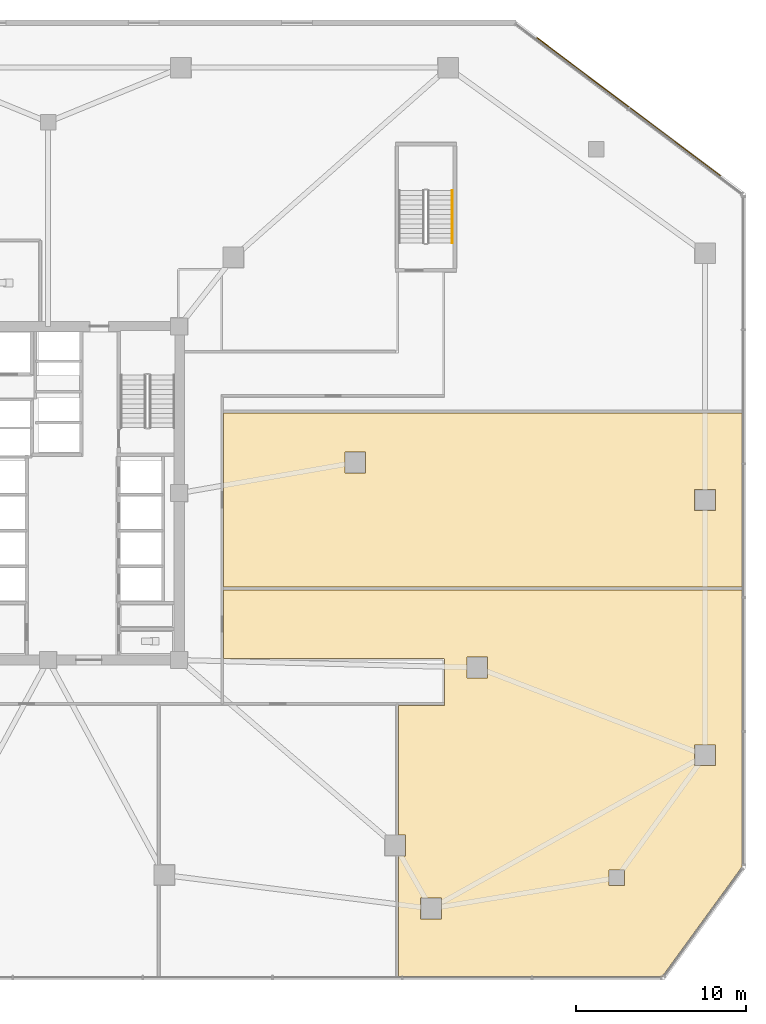
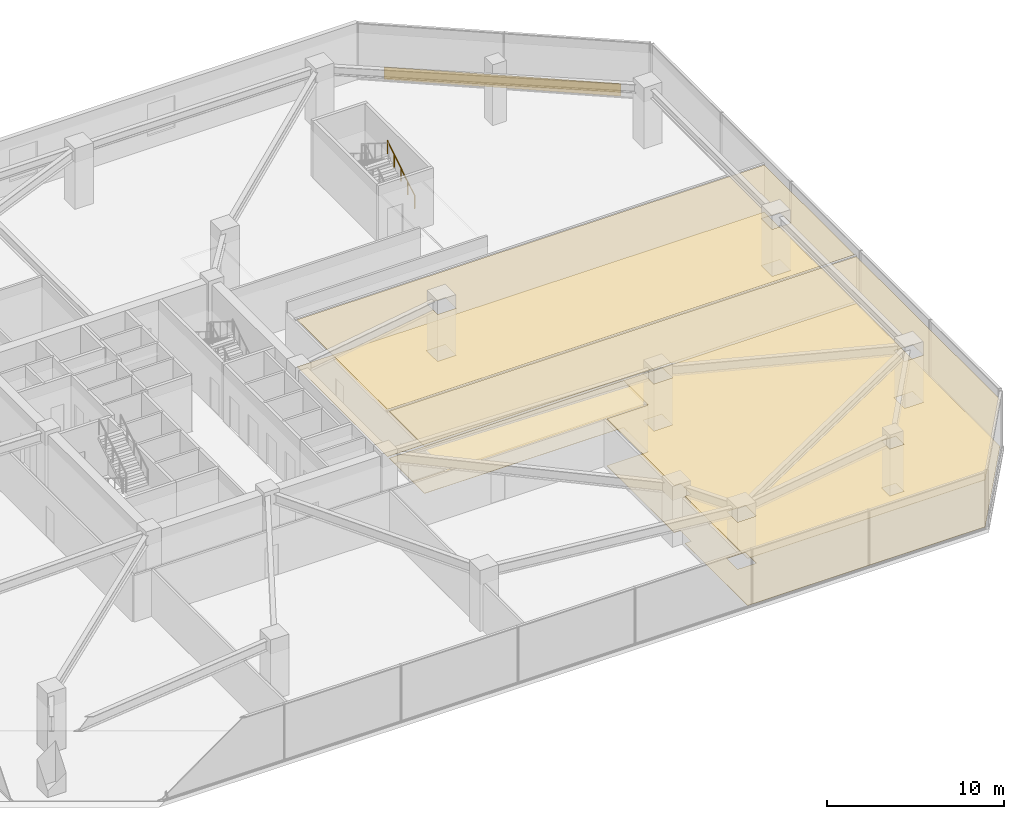
# One storey, part 21 of 22: 5 coverings, 1 railing.
"""IFC4 building model written with IfcOpenShell, lengths in metres."""

from ifc_helpers import new_model, si_unit, direction, frame, origin, origin_2d, place, context, subcontext, project, spatial, polyline, rectangle, circle, outline, extrude, material, layer, layer_set, type_object, element, save


model = new_model("IFC4")

# Units and contexts
model_context = context("Model", 3, precision=1e-05, world=origin(), true_north=direction((0.0, 1.0)))
body_context = subcontext(model_context, "Body", "Model", "MODEL_VIEW")
ifc_project = project(units=[si_unit("LENGTHUNIT", "METRE"), si_unit("AREAUNIT", "SQUARE_METRE"), si_unit("VOLUMEUNIT", "CUBIC_METRE"), si_unit("PLANEANGLEUNIT", "RADIAN"), si_unit("MASSUNIT", "GRAM", prefix="KILO")], contexts=[model_context])

# Site, building, storey
site_placement = place(None, origin())
site = spatial("IfcSite", under=ifc_project, at=site_placement, CompositionType="ELEMENT")
building_placement = place(site_placement, origin())
building = spatial("IfcBuilding", under=site, at=building_placement, Name="Savorim Split Tower", CompositionType="ELEMENT")
storey_placement = place(building_placement, frame((0.0, 0.0, 13.39990234375)))
storey = spatial("IfcBuildingStorey", under=building, at=storey_placement, Name="L03", CompositionType="ELEMENT", Elevation=13.39990234375)

# Coverings
ifc_material_1 = material(Name="Mineral Fibre Acoustic Ceiling")
ifc_layer_1 = layer(ifc_material_1, 0.02490234375)
ifc_layer_set_1 = layer_set([ifc_layer_1], Name="COV-CEIL-25")
covering_type_1 = type_object("IfcCoveringType", Name="COV-CEIL-25", PredefinedType="CEILING", material=ifc_layer_set_1)
covering_1_placement = place(storey_placement, frame((0.0, 0.0, 3.239990234375)))
element("IfcCovering", 1, at=covering_1_placement, inside=storey, type_object=covering_type_1, Name="L03 Maker Workshop Acoustic Ceiling", PredefinedType="CEILING", context=body_context, shape_type="SweptSolid", body=[
    extrude(outline(polyline([(20.594970703125, -27.97998046875), (36.087890625, -27.97998046875), (40.780029296875, -21.528564453125), (40.780029296875, -5.294921875), (10.31494140625, -5.294921875), (10.31494140625, -9.300048828125), (23.199951171875, -9.300048828125), (23.209716796875, -9.300537109375), (23.219482421875, -9.302001953125), (23.22900390625, -9.30419921875), (23.23828125, -9.3076171875), (23.2470703125, -9.311767578125), (23.255615234375, -9.31689453125), (23.263427734375, -9.32275390625), (23.270751953125, -9.329345703125), (23.27734375, -9.336669921875), (23.283203125, -9.344482421875), (23.2880859375, -9.352783203125), (23.29248046875, -9.36181640625), (23.295654296875, -9.37109375), (23.298095703125, -9.380615234375), (23.299560546875, -9.39013671875), (23.300048828125, -9.39990234375), (23.300048828125, -11.89990234375), (23.299560546875, -11.909912109375), (23.298095703125, -11.91943359375), (23.295654296875, -11.928955078125), (23.29248046875, -11.938232421875), (23.2880859375, -11.947021484375), (23.283203125, -11.95556640625), (23.280029296875, -11.959716796875), (23.280029296875, -12.074951171875), (20.594970703125, -12.074951171875), (20.594970703125, -19.681884765625), (20.994140625, -19.681884765625), (20.994140625, -20.90185546875), (20.594970703125, -20.90185546875), (20.594970703125, -27.97998046875)]), holes=[polyline([(37.989990234375, -14.389892578125), (37.989990234375, -15.610107421875), (39.2099609375, -15.610107421875), (39.2099609375, -14.389892578125), (37.989990234375, -14.389892578125)]), polyline([(21.889892578125, -24.610107421875), (23.110107421875, -24.610107421875), (23.110107421875, -23.389892578125), (21.889892578125, -23.389892578125), (21.889892578125, -24.610107421875)]), polyline([(25.823486328125, -10.45556640625), (25.823486328125, -9.235595703125), (24.603515625, -9.235595703125), (24.603515625, -10.45556640625), (25.823486328125, -10.45556640625)]), polyline([(32.93994140625, -21.739990234375), (32.93994140625, -22.659912109375), (33.860107421875, -22.659912109375), (33.860107421875, -21.739990234375), (32.93994140625, -21.739990234375)])]), origin(), (0.0, 0.0, 1.0), 0.025146484375),
])
covering_2_placement = place(storey_placement, frame((0.0, 0.0, 3.239990234375)))
element("IfcCovering", 2, at=covering_2_placement, inside=storey, type_object=covering_type_1, Name="L03 Co-Working Commons Acoustic Ceiling", PredefinedType="CEILING", context=body_context, shape_type="SweptSolid", body=[
    extrude(outline(polyline([(10.31494140625, 5.10498046875), (10.31494140625, -5.10498046875), (40.780029296875, -5.10498046875), (40.780029296875, 5.10498046875), (10.31494140625, 5.10498046875)]), holes=[polyline([(37.989990234375, 0.610107421875), (37.989990234375, -0.610107421875), (39.2099609375, -0.610107421875), (39.2099609375, 0.610107421875), (37.989990234375, 0.610107421875)]), polyline([(18.659423828125, 2.8125), (17.439453125, 2.8125), (17.439453125, 1.592529296875), (18.659423828125, 1.592529296875), (18.659423828125, 2.8125)])]), origin(), (0.0, 0.0, 1.0), 0.025146484375),
])
ifc_material_2 = material(Name="Terracotta Ceramic-Coated Aluminium Fin", Category="masonry")
ifc_layer_2 = layer(ifc_material_2, 0.050048828125)
ifc_layer_set_2 = layer_set([ifc_layer_2], Name="COV-CLAD-TERRA")
covering_type_2 = type_object("IfcCoveringType", Name="COV-CLAD-TERRA", PredefinedType="CLADDING", material=ifc_layer_set_2)
covering_3_placement = place(storey_placement, frame((34.10009765625, 23.10009765625, 0.025146484375), z_axis=(0.0, 0.0, 1.0), x_axis=(-0.798635510047, 0.601815023152, 0.0)))
element("IfcCovering", 3, at=covering_3_placement, inside=storey, type_object=covering_type_2, Name="L03 NE Podium Spandrel Cladding", PredefinedType="CLADDING", context=body_context, shape_type="SweptSolid", body=[
    extrude(rectangle(XDim=13.5, YDim=0.050048828125, at=origin_2d()), origin(), (0.0, 0.0, 1.0), 0.85009765625),
])
ifc_material_3 = material(Name="Porcelain Stoneware Flooring", Category="masonry")
ifc_layer_3 = layer(ifc_material_3, 0.02001953125)
ifc_layer_set_3 = layer_set([ifc_layer_3], Name="COV-FLOR-20")
covering_type_3 = type_object("IfcCoveringType", Name="COV-FLOR-20", PredefinedType="FLOORING", material=ifc_layer_set_3)
covering_4_placement = place(storey_placement, origin())
element("IfcCovering", 4, at=covering_4_placement, inside=storey, type_object=covering_type_3, Name="L03 Maker Workshop Porcelain Flooring", PredefinedType="FLOORING", context=body_context, shape_type="SweptSolid", body=[
    extrude(outline(polyline([(20.594970703125, -27.97998046875), (36.087890625, -27.97998046875), (40.780029296875, -21.528564453125), (40.780029296875, -5.294921875), (10.31494140625, -5.294921875), (10.31494140625, -9.300048828125), (23.199951171875, -9.300048828125), (23.209716796875, -9.300537109375), (23.219482421875, -9.302001953125), (23.22900390625, -9.30419921875), (23.23828125, -9.3076171875), (23.2470703125, -9.311767578125), (23.255615234375, -9.31689453125), (23.263427734375, -9.32275390625), (23.270751953125, -9.329345703125), (23.27734375, -9.336669921875), (23.283203125, -9.344482421875), (23.2880859375, -9.352783203125), (23.29248046875, -9.36181640625), (23.295654296875, -9.37109375), (23.298095703125, -9.380615234375), (23.299560546875, -9.39013671875), (23.300048828125, -9.39990234375), (23.300048828125, -11.89990234375), (23.299560546875, -11.909912109375), (23.298095703125, -11.91943359375), (23.295654296875, -11.928955078125), (23.29248046875, -11.938232421875), (23.2880859375, -11.947021484375), (23.283203125, -11.95556640625), (23.280029296875, -11.959716796875), (23.280029296875, -12.074951171875), (20.594970703125, -12.074951171875), (20.594970703125, -19.681884765625), (20.994140625, -19.681884765625), (20.994140625, -20.90185546875), (20.594970703125, -20.90185546875), (20.594970703125, -27.97998046875)]), holes=[polyline([(37.989990234375, -14.389892578125), (37.989990234375, -15.610107421875), (39.2099609375, -15.610107421875), (39.2099609375, -14.389892578125), (37.989990234375, -14.389892578125)]), polyline([(21.889892578125, -24.610107421875), (23.110107421875, -24.610107421875), (23.110107421875, -23.389892578125), (21.889892578125, -23.389892578125), (21.889892578125, -24.610107421875)]), polyline([(25.823486328125, -10.45556640625), (25.823486328125, -9.235595703125), (24.603515625, -9.235595703125), (24.603515625, -10.45556640625), (25.823486328125, -10.45556640625)]), polyline([(32.93994140625, -21.739990234375), (32.93994140625, -22.659912109375), (33.860107421875, -22.659912109375), (33.860107421875, -21.739990234375), (32.93994140625, -21.739990234375)])]), origin(), (0.0, 0.0, 1.0), 0.02001953125),
])
covering_5_placement = place(storey_placement, origin())
element("IfcCovering", 5, at=covering_5_placement, inside=storey, type_object=covering_type_3, Name="L03 Co-Working Commons Porcelain Flooring", PredefinedType="FLOORING", context=body_context, shape_type="SweptSolid", body=[
    extrude(outline(polyline([(10.31494140625, 5.10498046875), (10.31494140625, -5.10498046875), (40.780029296875, -5.10498046875), (40.780029296875, 5.10498046875), (10.31494140625, 5.10498046875)]), holes=[polyline([(37.989990234375, 0.610107421875), (37.989990234375, -0.610107421875), (39.2099609375, -0.610107421875), (39.2099609375, 0.610107421875), (37.989990234375, 0.610107421875)]), polyline([(18.659423828125, 2.8125), (17.439453125, 2.8125), (17.439453125, 1.592529296875), (18.659423828125, 1.592529296875), (18.659423828125, 2.8125)])]), origin(), (0.0, 0.0, 1.0), 0.02001953125),
])

# Railing
ifc_material_4 = material(Name="Galvanised Painted Steel Balustrade", Category="steel")
railing_type = type_object("IfcRailingType", Name="RLG-HR-900", PredefinedType="HANDRAIL", material=ifc_material_4)
railing_placement = place(storey_placement, frame((23.75, 15.10009765625, 0.175048828125)))
element("IfcRailing", 6, at=railing_placement, inside=storey, type_object=railing_type, Name="L03 ST-3 stair handrail 1", PredefinedType="HANDRAIL", context=body_context, shape_type="SweptSolid", body=[
    extrude(circle(Radius=0.02392578125, at=origin_2d()), frame((0.0, 0.0, 0.8759765625), z_axis=(0.0, 0.847979421464, 0.530029150871), x_axis=(-1.0, 0.0, 0.0)), (0.0, 0.0, 1.0), 3.632080078125),
    extrude(circle(Radius=0.02099609375, at=origin_2d()), origin(), (0.0, 0.0, 1.0), 0.851806640625),
    extrude(circle(Radius=0.02099609375, at=origin_2d()), frame((0.0, 0.77001953125, 0.481201171875)), (0.0, 0.0, 1.0), 0.851806640625),
    extrude(circle(Radius=0.02099609375, at=origin_2d()), frame((0.0, 1.5400390625, 0.96240234375)), (0.0, 0.0, 1.0), 0.851806640625),
    extrude(circle(Radius=0.02099609375, at=origin_2d()), frame((0.0, 2.309814453125, 1.44384765625)), (0.0, 0.0, 1.0), 0.851806640625),
    extrude(circle(Radius=0.02099609375, at=origin_2d()), frame((0.0, 3.079833984375, 1.925048828125)), (0.0, 0.0, 1.0), 0.851806640625),
])

save(model, "model.ifc")
